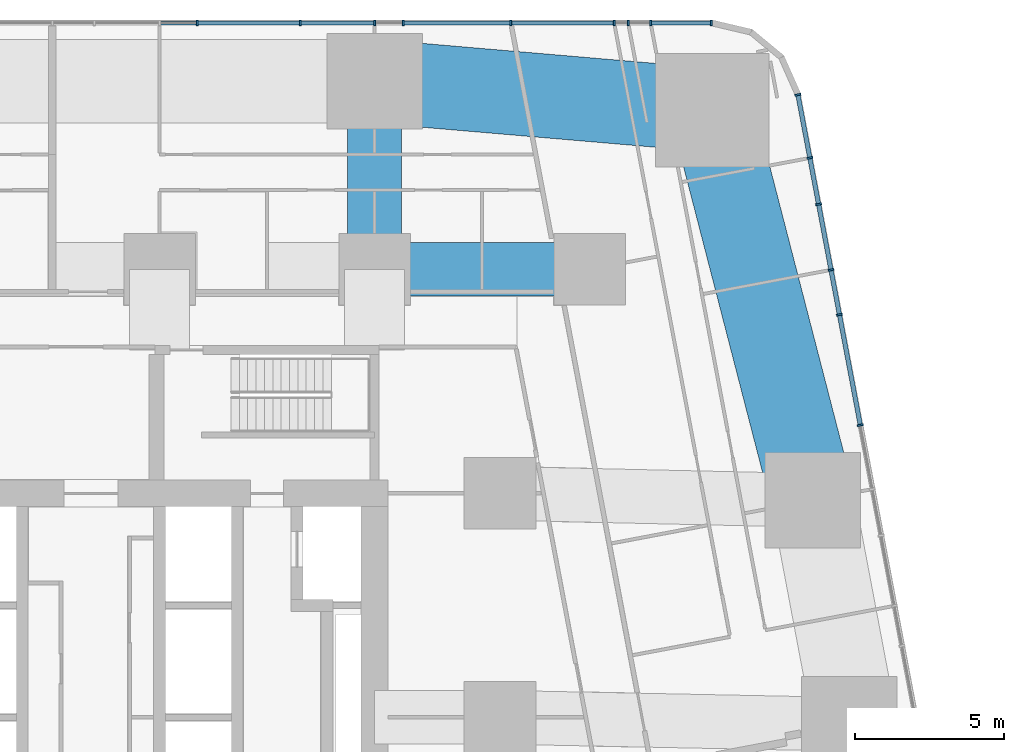
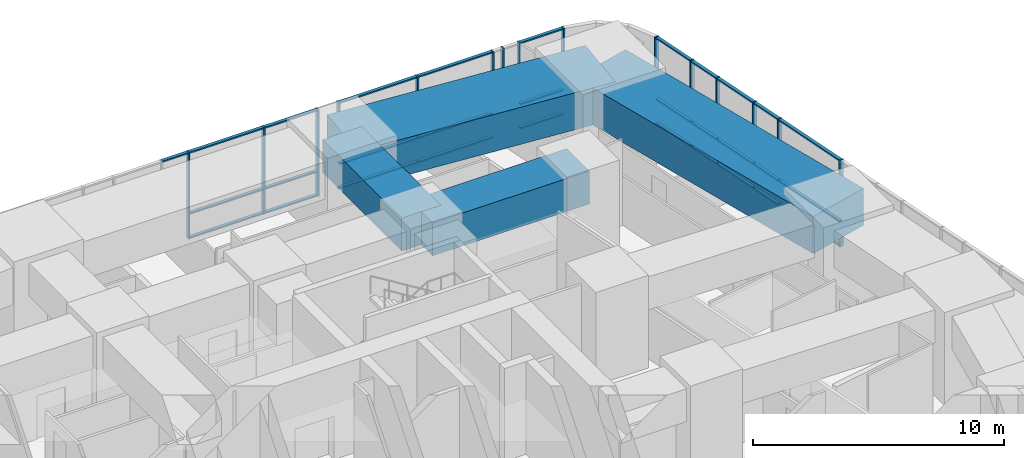
# One storey, part 8 of 22: 46 members, 4 beams, 2 elements without a shape of their own.
"""IFC4 building model written with IfcOpenShell, lengths in metres."""

from ifc_helpers import new_model, si_unit, direction, frame, origin, origin_2d, place, context, subcontext, project, spatial, rectangle, extrude, material, material_profile, profile_set, type_object, element, aggregate, save


model = new_model("IFC4")

# Units and contexts
model_context = context("Model", 3, precision=1e-05, world=origin(), true_north=direction((0.0, 1.0)))
body_context = subcontext(model_context, "Body", "Model", "MODEL_VIEW")
ifc_project = project(units=[si_unit("LENGTHUNIT", "METRE"), si_unit("AREAUNIT", "SQUARE_METRE"), si_unit("VOLUMEUNIT", "CUBIC_METRE"), si_unit("PLANEANGLEUNIT", "RADIAN"), si_unit("MASSUNIT", "GRAM", prefix="KILO")], contexts=[model_context])

# Site, building, storey
site_placement = place(None, origin())
site = spatial("IfcSite", under=ifc_project, at=site_placement, CompositionType="ELEMENT")
building_placement = place(site_placement, origin())
building = spatial("IfcBuilding", under=site, at=building_placement, Name="Sheger Commons Tower", CompositionType="ELEMENT")
storey_placement = place(building_placement, frame((0.0, 0.0, 10.10009765625)))
storey = spatial("IfcBuildingStorey", under=building, at=storey_placement, Name="L02", CompositionType="ELEMENT", Elevation=10.10009765625)

# Beams
ifc_material_1 = material(Name="Concrete C50/60", Category="concrete")
ifc_material_profile_1 = material_profile(ifc_material_1, rectangle(XDim=1.800048828125, YDim=1.60009765625, at=origin_2d()), Name="RC 1800x1600")
ifc_profile_set_1 = profile_set([ifc_material_profile_1], Name="Concrete C50/60")
beam_type_1 = type_object("IfcBeamType", Name="BEAM RC 1800x1600", PredefinedType="BEAM", material=ifc_profile_set_1)
beam_1_placement = place(storey_placement, frame((28.800048828125, 37.5, 3.39990234375), z_axis=(1.0, 0.0, 0.0), x_axis=(0.0, 1.0, 0.0)))
element("IfcBeam", 1, at=beam_1_placement, inside=storey, type_object=beam_type_1, Name="Beam 5/F-6/F under L03", PredefinedType="BEAM", context=body_context, shape_type="SweptSolid", body=[
    extrude(rectangle(XDim=1.800048828125, YDim=1.60009765625, at=origin_2d()), origin(), (0.0, 0.0, 1.0), 7.199951171875),
])
beam_2_placement = place(storey_placement, frame((28.800048828125, 37.5, 3.39990234375), z_axis=(0.0, 1.0, 0.0), x_axis=(-1.0, 0.0, 0.0)))
element("IfcBeam", 2, at=beam_2_placement, inside=storey, type_object=beam_type_1, Name="Beam 5/F-5/G under L03", PredefinedType="BEAM", context=body_context, shape_type="SweptSolid", body=[
    extrude(rectangle(XDim=1.800048828125, YDim=1.60009765625, at=origin_2d()), origin(), (0.0, 0.0, 1.0), 6.300048828125),
])

# Curtain wall, members
ifc_material_2 = material(Name="Black aluminium curtain wall, dark tinted glazing", Category="aluminium")
curtain_wall_type = type_object("IfcCurtainWallType", Name="CURTAIN WALL CW2 HEALTH CENTRE", PredefinedType="USERDEFINED", material=ifc_material_2)
curtain_wall_1_placement = place(storey_placement, origin())
curtain_wall_1 = element("IfcCurtainWall", 3, at=curtain_wall_1_placement, inside=storey, type_object=curtain_wall_type, Name="Curtain Wall Cw2 Health Centre E1 L02", ObjectType="STICK CURTAIN WALL", PredefinedType="USERDEFINED")
ifc_material_3 = material(Name="Black anodised aluminium", Category="aluminium")
ifc_material_profile_2 = material_profile(ifc_material_3, rectangle(XDim=0.199951171875, YDim=0.06494140625, at=origin_2d()), Name="AL 65x200")
ifc_profile_set_2 = profile_set([ifc_material_profile_2], Name="Black anodised aluminium")
member_type_1 = type_object("IfcMemberType", Name="MULLION AL 65x200", PredefinedType="MULLION", material=ifc_profile_set_2)
member_1_placement = place(storey_placement, frame((45.0654296875, 32.283935546875, 0.0), z_axis=(0.0, 0.0, 1.0), x_axis=(-0.982623514181, -0.185609884918, 0.0)))
member_1 = element("IfcMember", 4, at=member_1_placement, type_object=member_type_1, Name="CW2 mullion 15", PredefinedType="MULLION", context=body_context, shape_type="SweptSolid", body=[
    extrude(rectangle(XDim=0.199951171875, YDim=0.06494140625, at=origin_2d()), origin(), (0.0, 0.0, 1.0), 4.199951171875),
])
member_2_placement = place(storey_placement, frame((44.366943359375, 35.9814453125, 0.0), z_axis=(0.0, 0.0, 1.0), x_axis=(-0.982623514181, -0.185609884918, 0.0)))
member_2 = element("IfcMember", 5, at=member_2_placement, type_object=member_type_1, Name="CW2 mullion 16", PredefinedType="MULLION", context=body_context, shape_type="SweptSolid", body=[
    extrude(rectangle(XDim=0.199951171875, YDim=0.06494140625, at=origin_2d()), origin(), (0.0, 0.0, 1.0), 4.199951171875),
])
member_3_placement = place(storey_placement, frame((44.083740234375, 37.48095703125, 0.0), z_axis=(0.0, 0.0, 1.0), x_axis=(-0.982623514181, -0.185609884918, 0.0)))
member_3 = element("IfcMember", 6, at=member_3_placement, type_object=member_type_1, Name="CW2 mullion 17", PredefinedType="MULLION", context=body_context, shape_type="SweptSolid", body=[
    extrude(rectangle(XDim=0.199951171875, YDim=0.06494140625, at=origin_2d()), origin(), (0.0, 0.0, 1.0), 4.199951171875),
])
member_4_placement = place(storey_placement, frame((43.66845703125, 39.67919921875, 0.0), z_axis=(0.0, 0.0, 1.0), x_axis=(-0.982623514181, -0.185609884918, 0.0)))
member_4 = element("IfcMember", 7, at=member_4_placement, type_object=member_type_1, Name="CW2 mullion 18", PredefinedType="MULLION", context=body_context, shape_type="SweptSolid", body=[
    extrude(rectangle(XDim=0.199951171875, YDim=0.06494140625, at=origin_2d()), origin(), (0.0, 0.0, 1.0), 4.199951171875),
])
member_5_placement = place(storey_placement, frame((43.37548828125, 41.230712890625, 0.0), z_axis=(0.0, 0.0, 1.0), x_axis=(-0.982623514181, -0.185609884918, 0.0)))
member_5 = element("IfcMember", 8, at=member_5_placement, type_object=member_type_1, Name="CW2 mullion 19", PredefinedType="MULLION", context=body_context, shape_type="SweptSolid", body=[
    extrude(rectangle(XDim=0.199951171875, YDim=0.06494140625, at=origin_2d()), origin(), (0.0, 0.0, 1.0), 4.199951171875),
])
member_6_placement = place(storey_placement, frame((42.97607421875, 43.344970703125, 0.0), z_axis=(0.0, 0.0, 1.0), x_axis=(-0.982623514181, -0.185609884918, 0.0)))
member_6 = element("IfcMember", 9, at=member_6_placement, type_object=member_type_1, Name="CW2 mullion 20", PredefinedType="MULLION", context=body_context, shape_type="SweptSolid", body=[
    extrude(rectangle(XDim=0.199951171875, YDim=0.06494140625, at=origin_2d()), origin(), (0.0, 0.0, 1.0), 4.199951171875),
])

curtain_wall_2_placement = place(storey_placement, origin())
curtain_wall_2 = element("IfcCurtainWall", 10, at=curtain_wall_2_placement, inside=storey, type_object=curtain_wall_type, Name="Curtain Wall Cw2 Health Centre N1 L02", ObjectType="STICK CURTAIN WALL", PredefinedType="USERDEFINED")
member_7_placement = place(storey_placement, frame((40.073486328125, 45.75, 0.0), z_axis=(0.0, 0.0, 1.0), x_axis=(0.0, -1.0, 0.0)))
member_7 = element("IfcMember", 11, at=member_7_placement, type_object=member_type_1, Name="CW2 mullion 1", PredefinedType="MULLION", context=body_context, shape_type="SweptSolid", body=[
    extrude(rectangle(XDim=0.199951171875, YDim=0.06494140625, at=origin_2d()), origin(), (0.0, 0.0, 1.0), 4.199951171875),
])
member_8_placement = place(storey_placement, frame((38.0439453125, 45.75, 0.0), z_axis=(0.0, 0.0, 1.0), x_axis=(0.0, -1.0, 0.0)))
member_8 = element("IfcMember", 12, at=member_8_placement, type_object=member_type_1, Name="CW2 mullion 2", PredefinedType="MULLION", context=body_context, shape_type="SweptSolid", body=[
    extrude(rectangle(XDim=0.199951171875, YDim=0.06494140625, at=origin_2d()), origin(), (0.0, 0.0, 1.0), 4.199951171875),
])
member_9_placement = place(storey_placement, frame((37.2919921875, 45.75, 0.0), z_axis=(0.0, 0.0, 1.0), x_axis=(0.0, -1.0, 0.0)))
member_9 = element("IfcMember", 13, at=member_9_placement, type_object=member_type_1, Name="CW2 mullion 3", PredefinedType="MULLION", context=body_context, shape_type="SweptSolid", body=[
    extrude(rectangle(XDim=0.199951171875, YDim=0.06494140625, at=origin_2d()), origin(), (0.0, 0.0, 1.0), 4.199951171875),
])
member_10_placement = place(storey_placement, frame((36.822998046875, 45.75, 0.0), z_axis=(0.0, 0.0, 1.0), x_axis=(0.0, -1.0, 0.0)))
member_10 = element("IfcMember", 14, at=member_10_placement, type_object=member_type_1, Name="CW2 mullion 4", PredefinedType="MULLION", context=body_context, shape_type="SweptSolid", body=[
    extrude(rectangle(XDim=0.199951171875, YDim=0.06494140625, at=origin_2d()), origin(), (0.0, 0.0, 1.0), 4.199951171875),
])
member_11_placement = place(storey_placement, frame((33.363037109375, 45.75, 0.0), z_axis=(0.0, 0.0, 1.0), x_axis=(0.0, -1.0, 0.0)))
member_11 = element("IfcMember", 15, at=member_11_placement, type_object=member_type_1, Name="CW2 mullion 5", PredefinedType="MULLION", context=body_context, shape_type="SweptSolid", body=[
    extrude(rectangle(XDim=0.199951171875, YDim=0.06494140625, at=origin_2d()), origin(), (0.0, 0.0, 1.0), 4.199951171875),
])
member_12_placement = place(storey_placement, frame((29.758056640625, 45.75, 0.0), z_axis=(0.0, 0.0, 1.0), x_axis=(0.0, -1.0, 0.0)))
member_12 = element("IfcMember", 16, at=member_12_placement, type_object=member_type_1, Name="CW2 mullion 6", PredefinedType="MULLION", context=body_context, shape_type="SweptSolid", body=[
    extrude(rectangle(XDim=0.199951171875, YDim=0.06494140625, at=origin_2d()), origin(), (0.0, 0.0, 1.0), 4.199951171875),
])
member_13_placement = place(storey_placement, frame((28.800048828125, 45.75, 0.0), z_axis=(0.0, 0.0, 1.0), x_axis=(0.0, -1.0, 0.0)))
member_13 = element("IfcMember", 17, at=member_13_placement, type_object=member_type_1, Name="CW2 mullion 7", PredefinedType="MULLION", context=body_context, shape_type="SweptSolid", body=[
    extrude(rectangle(XDim=0.199951171875, YDim=0.06494140625, at=origin_2d()), origin(), (0.0, 0.0, 1.0), 4.199951171875),
])
member_14_placement = place(storey_placement, frame((26.30908203125, 45.75, 0.0), z_axis=(0.0, 0.0, 1.0), x_axis=(0.0, -1.0, 0.0)))
member_14 = element("IfcMember", 18, at=member_14_placement, type_object=member_type_1, Name="CW2 mullion 8", PredefinedType="MULLION", context=body_context, shape_type="SweptSolid", body=[
    extrude(rectangle(XDim=0.199951171875, YDim=0.06494140625, at=origin_2d()), origin(), (0.0, 0.0, 1.0), 4.199951171875),
])
member_15_placement = place(storey_placement, frame((22.85888671875, 45.75, 0.0), z_axis=(0.0, 0.0, 1.0), x_axis=(0.0, -1.0, 0.0)))
member_15 = element("IfcMember", 19, at=member_15_placement, type_object=member_type_1, Name="CW2 mullion 9", PredefinedType="MULLION", context=body_context, shape_type="SweptSolid", body=[
    extrude(rectangle(XDim=0.199951171875, YDim=0.06494140625, at=origin_2d()), origin(), (0.0, 0.0, 1.0), 4.199951171875),
])

# Beams
ifc_material_4 = material(Name="Concrete C50/60", Category="concrete")
ifc_material_profile_3 = material_profile(ifc_material_4, rectangle(XDim=2.800048828125, YDim=1.800048828125, at=origin_2d()), Name="RC 2800x1800")
ifc_profile_set_3 = profile_set([ifc_material_profile_3], Name="Concrete C50/60")
beam_type_2 = type_object("IfcBeamType", Name="SPANDREL RC 2800x1800", PredefinedType="SPANDREL", material=ifc_profile_set_3)
beam_3_placement = place(storey_placement, frame((43.47998046875, 29.762939453125, 3.2998046875), z_axis=(-0.250278460129, 0.968173895742, 0.0), x_axis=(-0.968173895742, -0.250278460129, 0.0)))
element("IfcBeam", 20, at=beam_3_placement, inside=storey, type_object=beam_type_2, Name="Beam E/E-41.490,44.505 under L03", PredefinedType="SPANDREL", context=body_context, shape_type="SweptSolid", body=[
    extrude(rectangle(XDim=2.800048828125, YDim=1.800048828125, at=origin_2d()), origin(), (0.0, 0.0, 1.0), 13.49658203125),
])
beam_4_placement = place(storey_placement, frame((40.10205078125, 42.830078125, 3.2998046875), z_axis=(-0.996337434304, 0.085508578543, 0.0), x_axis=(-0.085508578543, -0.996337434304, 0.0)))
element("IfcBeam", 21, at=beam_4_placement, inside=storey, type_object=beam_type_2, Name="Beam 41.490,44.505-5/G under L03", PredefinedType="SPANDREL", context=body_context, shape_type="SweptSolid", body=[
    extrude(rectangle(XDim=2.800048828125, YDim=1.800048828125, at=origin_2d()), origin(), (0.0, 0.0, 1.0), 11.343505859375),
])

# Member
ifc_material_5 = material(Name="Black anodised aluminium", Category="aluminium")
ifc_material_profile_4 = material_profile(ifc_material_5, rectangle(XDim=0.14990234375, YDim=0.06494140625, at=origin_2d()), Name="AL 65x150")
ifc_profile_set_4 = profile_set([ifc_material_profile_4], Name="Black anodised aluminium")
member_type_2 = type_object("IfcMemberType", Name="TRANSOM AL 65x150", PredefinedType="USERDEFINED", material=ifc_profile_set_4)
member_16_placement = place(storey_placement, frame((45.059326171875, 32.31591796875, 0.032470703125), z_axis=(-0.185591899983, 0.982626911224, 0.0), x_axis=(-0.982626911224, -0.185591899983, 0.0)))
member_16 = element("IfcMember", 22, at=member_16_placement, type_object=member_type_2, Name="CW2 transom 15.1", ObjectType="TRANSOM", PredefinedType="USERDEFINED", context=body_context, shape_type="SweptSolid", body=[
    extrude(rectangle(XDim=0.14990234375, YDim=0.06494140625, at=origin_2d()), origin(), (0.0, 0.0, 1.0), 3.69775390625),
])

member_17_placement = place(storey_placement, frame((45.059326171875, 32.31591796875, 1.199951171875), z_axis=(-0.185591899983, 0.982626911224, 0.0), x_axis=(-0.982626911224, -0.185591899983, 0.0)))
member_17 = element("IfcMember", 23, at=member_17_placement, type_object=member_type_2, Name="CW2 transom 15.2", ObjectType="TRANSOM", PredefinedType="USERDEFINED", context=body_context, shape_type="SweptSolid", body=[
    extrude(rectangle(XDim=0.14990234375, YDim=0.06494140625, at=origin_2d()), origin(), (0.0, 0.0, 1.0), 3.69775390625),
])

member_18_placement = place(storey_placement, frame((45.059326171875, 32.31591796875, 4.16748046875), z_axis=(-0.185591899983, 0.982626911224, 0.0), x_axis=(-0.982626911224, -0.185591899983, 0.0)))
member_18 = element("IfcMember", 24, at=member_18_placement, type_object=member_type_2, Name="CW2 transom 15.3", ObjectType="TRANSOM", PredefinedType="USERDEFINED", context=body_context, shape_type="SweptSolid", body=[
    extrude(rectangle(XDim=0.14990234375, YDim=0.06494140625, at=origin_2d()), origin(), (0.0, 0.0, 1.0), 3.69775390625),
])

member_19_placement = place(storey_placement, frame((44.36083984375, 36.013427734375, 0.032470703125), z_axis=(-0.185499200807, 0.982644415086, 0.0), x_axis=(-0.982644415086, -0.185499200807, 0.0)))
member_19 = element("IfcMember", 25, at=member_19_placement, type_object=member_type_2, Name="CW2 transom 16.1", ObjectType="TRANSOM", PredefinedType="USERDEFINED", context=body_context, shape_type="SweptSolid", body=[
    extrude(rectangle(XDim=0.14990234375, YDim=0.06494140625, at=origin_2d()), origin(), (0.0, 0.0, 1.0), 1.4609375),
])

member_20_placement = place(storey_placement, frame((44.36083984375, 36.013427734375, 1.199951171875), z_axis=(-0.185499200807, 0.982644415086, 0.0), x_axis=(-0.982644415086, -0.185499200807, 0.0)))
member_20 = element("IfcMember", 26, at=member_20_placement, type_object=member_type_2, Name="CW2 transom 16.2", ObjectType="TRANSOM", PredefinedType="USERDEFINED", context=body_context, shape_type="SweptSolid", body=[
    extrude(rectangle(XDim=0.14990234375, YDim=0.06494140625, at=origin_2d()), origin(), (0.0, 0.0, 1.0), 1.4609375),
])

member_21_placement = place(storey_placement, frame((44.36083984375, 36.013427734375, 4.16748046875), z_axis=(-0.185499200807, 0.982644415086, 0.0), x_axis=(-0.982644415086, -0.185499200807, 0.0)))
member_21 = element("IfcMember", 27, at=member_21_placement, type_object=member_type_2, Name="CW2 transom 16.3", ObjectType="TRANSOM", PredefinedType="USERDEFINED", context=body_context, shape_type="SweptSolid", body=[
    extrude(rectangle(XDim=0.14990234375, YDim=0.06494140625, at=origin_2d()), origin(), (0.0, 0.0, 1.0), 1.4609375),
])

member_22_placement = place(storey_placement, frame((44.07763671875, 37.512939453125, 0.032470703125), z_axis=(-0.185577833075, 0.982629567981, 0.0), x_axis=(-0.982629567981, -0.185577833075, 0.0)))
member_22 = element("IfcMember", 28, at=member_22_placement, type_object=member_type_2, Name="CW2 transom 17.1", ObjectType="TRANSOM", PredefinedType="USERDEFINED", context=body_context, shape_type="SweptSolid", body=[
    extrude(rectangle(XDim=0.14990234375, YDim=0.06494140625, at=origin_2d()), origin(), (0.0, 0.0, 1.0), 2.172119140625),
])

member_23_placement = place(storey_placement, frame((44.07763671875, 37.512939453125, 1.199951171875), z_axis=(-0.185577833075, 0.982629567981, 0.0), x_axis=(-0.982629567981, -0.185577833075, 0.0)))
member_23 = element("IfcMember", 29, at=member_23_placement, type_object=member_type_2, Name="CW2 transom 17.2", ObjectType="TRANSOM", PredefinedType="USERDEFINED", context=body_context, shape_type="SweptSolid", body=[
    extrude(rectangle(XDim=0.14990234375, YDim=0.06494140625, at=origin_2d()), origin(), (0.0, 0.0, 1.0), 2.172119140625),
])

member_24_placement = place(storey_placement, frame((44.07763671875, 37.512939453125, 4.16748046875), z_axis=(-0.185577833075, 0.982629567981, 0.0), x_axis=(-0.982629567981, -0.185577833075, 0.0)))
member_24 = element("IfcMember", 30, at=member_24_placement, type_object=member_type_2, Name="CW2 transom 17.3", ObjectType="TRANSOM", PredefinedType="USERDEFINED", context=body_context, shape_type="SweptSolid", body=[
    extrude(rectangle(XDim=0.14990234375, YDim=0.06494140625, at=origin_2d()), origin(), (0.0, 0.0, 1.0), 2.172119140625),
])

member_25_placement = place(storey_placement, frame((43.662353515625, 39.7109375, 0.032470703125), z_axis=(-0.185592935621, 0.982626715619, 0.0), x_axis=(-0.982626715619, -0.185592935621, 0.0)))
member_25 = element("IfcMember", 31, at=member_25_placement, type_object=member_type_2, Name="CW2 transom 18.1", ObjectType="TRANSOM", PredefinedType="USERDEFINED", context=body_context, shape_type="SweptSolid", body=[
    extrude(rectangle(XDim=0.14990234375, YDim=0.06494140625, at=origin_2d()), origin(), (0.0, 0.0, 1.0), 1.51416015625),
])

member_26_placement = place(storey_placement, frame((43.662353515625, 39.7109375, 1.199951171875), z_axis=(-0.185592935621, 0.982626715619, 0.0), x_axis=(-0.982626715619, -0.185592935621, 0.0)))
member_26 = element("IfcMember", 32, at=member_26_placement, type_object=member_type_2, Name="CW2 transom 18.2", ObjectType="TRANSOM", PredefinedType="USERDEFINED", context=body_context, shape_type="SweptSolid", body=[
    extrude(rectangle(XDim=0.14990234375, YDim=0.06494140625, at=origin_2d()), origin(), (0.0, 0.0, 1.0), 1.51416015625),
])

member_27_placement = place(storey_placement, frame((43.662353515625, 39.7109375, 4.16748046875), z_axis=(-0.185592935621, 0.982626715619, 0.0), x_axis=(-0.982626715619, -0.185592935621, 0.0)))
member_27 = element("IfcMember", 33, at=member_27_placement, type_object=member_type_2, Name="CW2 transom 18.3", ObjectType="TRANSOM", PredefinedType="USERDEFINED", context=body_context, shape_type="SweptSolid", body=[
    extrude(rectangle(XDim=0.14990234375, YDim=0.06494140625, at=origin_2d()), origin(), (0.0, 0.0, 1.0), 1.51416015625),
])

member_28_placement = place(storey_placement, frame((43.369384765625, 41.2626953125, 0.032470703125), z_axis=(-0.185552802901, 0.982634294809, 0.0), x_axis=(-0.982634294809, -0.185552802901, 0.0)))
member_28 = element("IfcMember", 34, at=member_28_placement, type_object=member_type_2, Name="CW2 transom 19.1", ObjectType="TRANSOM", PredefinedType="USERDEFINED", context=body_context, shape_type="SweptSolid", body=[
    extrude(rectangle(XDim=0.14990234375, YDim=0.06494140625, at=origin_2d()), origin(), (0.0, 0.0, 1.0), 2.086669921875),
])

member_29_placement = place(storey_placement, frame((43.369384765625, 41.2626953125, 1.199951171875), z_axis=(-0.185552802901, 0.982634294809, 0.0), x_axis=(-0.982634294809, -0.185552802901, 0.0)))
member_29 = element("IfcMember", 35, at=member_29_placement, type_object=member_type_2, Name="CW2 transom 19.2", ObjectType="TRANSOM", PredefinedType="USERDEFINED", context=body_context, shape_type="SweptSolid", body=[
    extrude(rectangle(XDim=0.14990234375, YDim=0.06494140625, at=origin_2d()), origin(), (0.0, 0.0, 1.0), 2.086669921875),
])

member_30_placement = place(storey_placement, frame((43.369384765625, 41.2626953125, 4.16748046875), z_axis=(-0.185552802901, 0.982634294809, 0.0), x_axis=(-0.982634294809, -0.185552802901, 0.0)))
member_30 = element("IfcMember", 36, at=member_30_placement, type_object=member_type_2, Name="CW2 transom 19.3", ObjectType="TRANSOM", PredefinedType="USERDEFINED", context=body_context, shape_type="SweptSolid", body=[
    extrude(rectangle(XDim=0.14990234375, YDim=0.06494140625, at=origin_2d()), origin(), (0.0, 0.0, 1.0), 2.086669921875),
])

aggregate(curtain_wall_1, [member_1, member_2, member_3, member_4, member_5, member_6, member_16, member_17, member_18, member_19, member_20, member_21, member_22, member_23, member_24, member_25, member_26, member_27, member_28, member_29, member_30])

member_31_placement = place(storey_placement, frame((40.041015625, 45.75, 0.032470703125), z_axis=(-1.0, 0.0, 0.0), x_axis=(0.0, -1.0, 0.0)))
member_31 = element("IfcMember", 37, at=member_31_placement, type_object=member_type_2, Name="CW2 transom 1.1", ObjectType="TRANSOM", PredefinedType="USERDEFINED", context=body_context, shape_type="SweptSolid", body=[
    extrude(rectangle(XDim=0.14990234375, YDim=0.06494140625, at=origin_2d()), origin(), (0.0, 0.0, 1.0), 1.964599609375),
])

member_32_placement = place(storey_placement, frame((40.041015625, 45.75, 1.199951171875), z_axis=(-1.0, 0.0, 0.0), x_axis=(0.0, -1.0, 0.0)))
member_32 = element("IfcMember", 38, at=member_32_placement, type_object=member_type_2, Name="CW2 transom 1.2", ObjectType="TRANSOM", PredefinedType="USERDEFINED", context=body_context, shape_type="SweptSolid", body=[
    extrude(rectangle(XDim=0.14990234375, YDim=0.06494140625, at=origin_2d()), origin(), (0.0, 0.0, 1.0), 1.964599609375),
])

member_33_placement = place(storey_placement, frame((40.041015625, 45.75, 4.16748046875), z_axis=(-1.0, 0.0, 0.0), x_axis=(0.0, -1.0, 0.0)))
member_33 = element("IfcMember", 39, at=member_33_placement, type_object=member_type_2, Name="CW2 transom 1.3", ObjectType="TRANSOM", PredefinedType="USERDEFINED", context=body_context, shape_type="SweptSolid", body=[
    extrude(rectangle(XDim=0.14990234375, YDim=0.06494140625, at=origin_2d()), origin(), (0.0, 0.0, 1.0), 1.964599609375),
])

member_34_placement = place(storey_placement, frame((36.79052734375, 45.75, 0.032470703125), z_axis=(-1.0, 0.0, 0.0), x_axis=(0.0, -1.0, 0.0)))
member_34 = element("IfcMember", 40, at=member_34_placement, type_object=member_type_2, Name="CW2 transom 4.1", ObjectType="TRANSOM", PredefinedType="USERDEFINED", context=body_context, shape_type="SweptSolid", body=[
    extrude(rectangle(XDim=0.14990234375, YDim=0.06494140625, at=origin_2d()), origin(), (0.0, 0.0, 1.0), 3.39501953125),
])

member_35_placement = place(storey_placement, frame((36.79052734375, 45.75, 1.199951171875), z_axis=(-1.0, 0.0, 0.0), x_axis=(0.0, -1.0, 0.0)))
member_35 = element("IfcMember", 41, at=member_35_placement, type_object=member_type_2, Name="CW2 transom 4.2", ObjectType="TRANSOM", PredefinedType="USERDEFINED", context=body_context, shape_type="SweptSolid", body=[
    extrude(rectangle(XDim=0.14990234375, YDim=0.06494140625, at=origin_2d()), origin(), (0.0, 0.0, 1.0), 3.39501953125),
])

member_36_placement = place(storey_placement, frame((36.79052734375, 45.75, 4.16748046875), z_axis=(-1.0, 0.0, 0.0), x_axis=(0.0, -1.0, 0.0)))
member_36 = element("IfcMember", 42, at=member_36_placement, type_object=member_type_2, Name="CW2 transom 4.3", ObjectType="TRANSOM", PredefinedType="USERDEFINED", context=body_context, shape_type="SweptSolid", body=[
    extrude(rectangle(XDim=0.14990234375, YDim=0.06494140625, at=origin_2d()), origin(), (0.0, 0.0, 1.0), 3.39501953125),
])

member_37_placement = place(storey_placement, frame((33.33056640625, 45.75, 0.032470703125), z_axis=(-1.0, 0.0, 0.0), x_axis=(0.0, -1.0, 0.0)))
member_37 = element("IfcMember", 43, at=member_37_placement, type_object=member_type_2, Name="CW2 transom 5.1", ObjectType="TRANSOM", PredefinedType="USERDEFINED", context=body_context, shape_type="SweptSolid", body=[
    extrude(rectangle(XDim=0.14990234375, YDim=0.06494140625, at=origin_2d()), origin(), (0.0, 0.0, 1.0), 3.5400390625),
])

member_38_placement = place(storey_placement, frame((33.33056640625, 45.75, 1.199951171875), z_axis=(-1.0, 0.0, 0.0), x_axis=(0.0, -1.0, 0.0)))
member_38 = element("IfcMember", 44, at=member_38_placement, type_object=member_type_2, Name="CW2 transom 5.2", ObjectType="TRANSOM", PredefinedType="USERDEFINED", context=body_context, shape_type="SweptSolid", body=[
    extrude(rectangle(XDim=0.14990234375, YDim=0.06494140625, at=origin_2d()), origin(), (0.0, 0.0, 1.0), 3.5400390625),
])

member_39_placement = place(storey_placement, frame((33.33056640625, 45.75, 4.16748046875), z_axis=(-1.0, 0.0, 0.0), x_axis=(0.0, -1.0, 0.0)))
member_39 = element("IfcMember", 45, at=member_39_placement, type_object=member_type_2, Name="CW2 transom 5.3", ObjectType="TRANSOM", PredefinedType="USERDEFINED", context=body_context, shape_type="SweptSolid", body=[
    extrude(rectangle(XDim=0.14990234375, YDim=0.06494140625, at=origin_2d()), origin(), (0.0, 0.0, 1.0), 3.5400390625),
])

member_40_placement = place(storey_placement, frame((28.767578125, 45.75, 0.032470703125), z_axis=(-1.0, 0.0, 0.0), x_axis=(0.0, -1.0, 0.0)))
member_40 = element("IfcMember", 46, at=member_40_placement, type_object=member_type_2, Name="CW2 transom 7.1", ObjectType="TRANSOM", PredefinedType="USERDEFINED", context=body_context, shape_type="SweptSolid", body=[
    extrude(rectangle(XDim=0.14990234375, YDim=0.06494140625, at=origin_2d()), origin(), (0.0, 0.0, 1.0), 2.426025390625),
])

member_41_placement = place(storey_placement, frame((28.767578125, 45.75, 1.199951171875), z_axis=(-1.0, 0.0, 0.0), x_axis=(0.0, -1.0, 0.0)))
member_41 = element("IfcMember", 47, at=member_41_placement, type_object=member_type_2, Name="CW2 transom 7.2", ObjectType="TRANSOM", PredefinedType="USERDEFINED", context=body_context, shape_type="SweptSolid", body=[
    extrude(rectangle(XDim=0.14990234375, YDim=0.06494140625, at=origin_2d()), origin(), (0.0, 0.0, 1.0), 2.426025390625),
])

member_42_placement = place(storey_placement, frame((28.767578125, 45.75, 4.16748046875), z_axis=(-1.0, 0.0, 0.0), x_axis=(0.0, -1.0, 0.0)))
member_42 = element("IfcMember", 48, at=member_42_placement, type_object=member_type_2, Name="CW2 transom 7.3", ObjectType="TRANSOM", PredefinedType="USERDEFINED", context=body_context, shape_type="SweptSolid", body=[
    extrude(rectangle(XDim=0.14990234375, YDim=0.06494140625, at=origin_2d()), origin(), (0.0, 0.0, 1.0), 2.426025390625),
])

member_43_placement = place(storey_placement, frame((26.276611328125, 45.75, 0.032470703125), z_axis=(-1.0, 0.0, 0.0), x_axis=(0.0, -1.0, 0.0)))
member_43 = element("IfcMember", 49, at=member_43_placement, type_object=member_type_2, Name="CW2 transom 8.1", ObjectType="TRANSOM", PredefinedType="USERDEFINED", context=body_context, shape_type="SweptSolid", body=[
    extrude(rectangle(XDim=0.14990234375, YDim=0.06494140625, at=origin_2d()), origin(), (0.0, 0.0, 1.0), 3.385009765625),
])

member_44_placement = place(storey_placement, frame((26.276611328125, 45.75, 1.199951171875), z_axis=(-1.0, 0.0, 0.0), x_axis=(0.0, -1.0, 0.0)))
member_44 = element("IfcMember", 50, at=member_44_placement, type_object=member_type_2, Name="CW2 transom 8.2", ObjectType="TRANSOM", PredefinedType="USERDEFINED", context=body_context, shape_type="SweptSolid", body=[
    extrude(rectangle(XDim=0.14990234375, YDim=0.06494140625, at=origin_2d()), origin(), (0.0, 0.0, 1.0), 3.385009765625),
])

member_45_placement = place(storey_placement, frame((26.276611328125, 45.75, 4.16748046875), z_axis=(-1.0, 0.0, 0.0), x_axis=(0.0, -1.0, 0.0)))
member_45 = element("IfcMember", 51, at=member_45_placement, type_object=member_type_2, Name="CW2 transom 8.3", ObjectType="TRANSOM", PredefinedType="USERDEFINED", context=body_context, shape_type="SweptSolid", body=[
    extrude(rectangle(XDim=0.14990234375, YDim=0.06494140625, at=origin_2d()), origin(), (0.0, 0.0, 1.0), 3.385009765625),
])

member_46_placement = place(storey_placement, frame((22.826416015625, 45.75, 4.16748046875), z_axis=(-1.0, 0.0, 0.0), x_axis=(0.0, -1.0, 0.0)))
member_46 = element("IfcMember", 52, at=member_46_placement, type_object=member_type_2, Name="CW2 transom 9.3", ObjectType="TRANSOM", PredefinedType="USERDEFINED", context=body_context, shape_type="SweptSolid", body=[
    extrude(rectangle(XDim=0.14990234375, YDim=0.06494140625, at=origin_2d()), origin(), (0.0, 0.0, 1.0), 1.19384765625),
])

aggregate(curtain_wall_2, [member_7, member_8, member_9, member_10, member_11, member_12, member_13, member_14, member_15, member_31, member_32, member_33, member_34, member_35, member_36, member_37, member_38, member_39, member_40, member_41, member_42, member_43, member_44, member_45, member_46])

save(model, "model.ifc")
